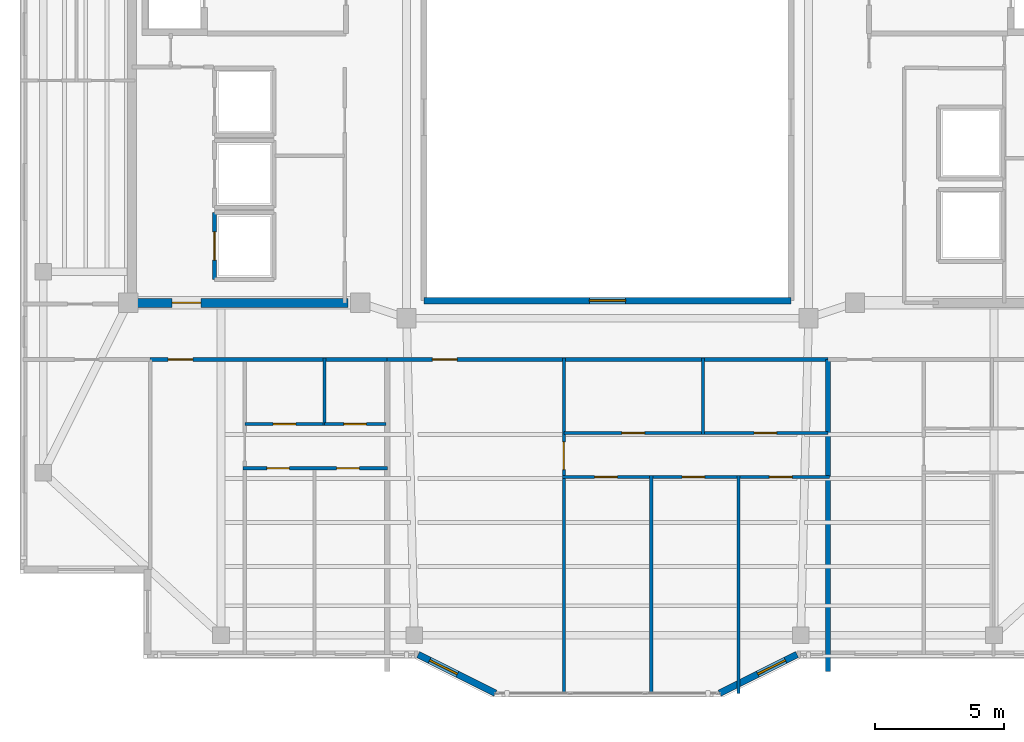
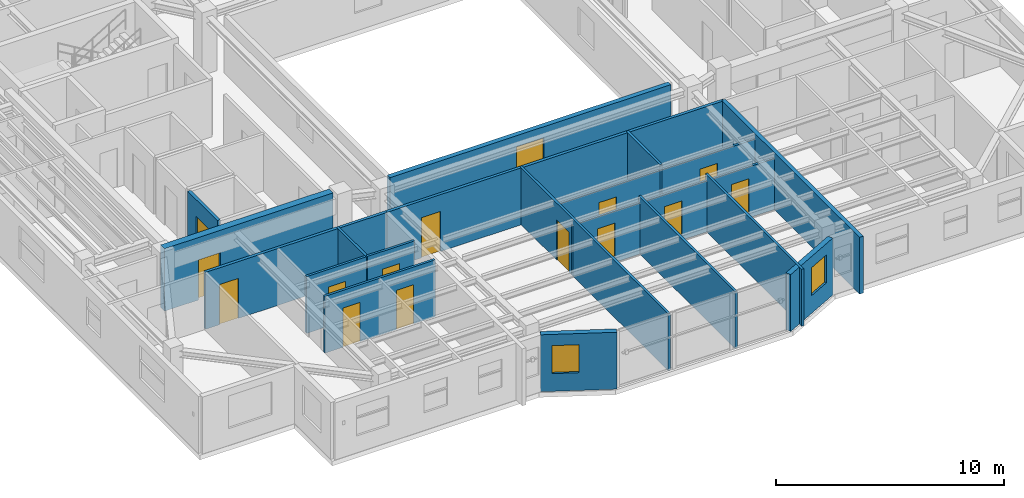
# One storey, part 6 of 15: 19 walls, 14 doors, 3 windows, 17 openings.
"""IFC4 building model written with IfcOpenShell, lengths in metres."""

from ifc_helpers import new_model, si_unit, direction, frame, frame_2d, origin, place, context, subcontext, project, spatial, rectangle, extrude, material, layer, layer_set, type_object, element, fill, save


model = new_model("IFC4")

# Units and contexts
model_context = context("Model", 3, precision=1e-05, world=origin(), true_north=direction((0.0, 1.0)))
body_context = subcontext(model_context, "Body", "Model", "MODEL_VIEW")
ifc_project = project(units=[si_unit("LENGTHUNIT", "METRE"), si_unit("AREAUNIT", "SQUARE_METRE"), si_unit("VOLUMEUNIT", "CUBIC_METRE"), si_unit("PLANEANGLEUNIT", "RADIAN"), si_unit("MASSUNIT", "GRAM", prefix="KILO")], contexts=[model_context])

# Site, building, storey
site_placement = place(None, origin())
site = spatial("IfcSite", under=ifc_project, at=site_placement, CompositionType="ELEMENT")
building_placement = place(site_placement, origin())
building = spatial("IfcBuilding", under=site, at=building_placement, Name="Tarnavaz Court Tower", CompositionType="ELEMENT")
storey_placement = place(building_placement, frame((0.0, 0.0, 268.300048828125)))
storey = spatial("IfcBuildingStorey", under=building, at=storey_placement, Name="L73", CompositionType="ELEMENT", Elevation=268.300048828125)

# Wall, opening, door
ifc_material_1 = material(Name="Concrete C50/60", Category="concrete")
ifc_layer_1 = layer(ifc_material_1, 0.35009765625)
ifc_layer_set_1 = layer_set([ifc_layer_1], Name="Concrete C50/60")
wall_type_1 = type_object("IfcWallType", Name="WL-CORE-350-C50", PredefinedType="SHEAR", material=ifc_layer_set_1)
wall_1_placement = place(storey_placement, frame((-18.625, -7.199951171875, 0.0), z_axis=(0.0, 0.0, 1.0), x_axis=(1.0, 0.0, 0.0)))
wall_1 = element("IfcWall", 1, at=wall_1_placement, inside=storey, type_object=wall_type_1, Name="L73 West Core South Shear Wall 046", PredefinedType="SHEAR", context=body_context, shape_type="SweptSolid", body=[
    extrude(rectangle(XDim=8.550048828125, YDim=0.35009765625, at=frame_2d((4.27490234375, 0.0))), origin(), (0.0, 0.0, 1.0), 3.349853515625),
])
opening_1_placement = place(wall_1_placement, frame((1.72509765625, 0.0, 0.0)))
opening_1 = element("IfcOpeningElement", 2, at=opening_1_placement, cuts=wall_1, Name="Opening D04", PredefinedType="OPENING", context=body_context, shape_type="SweptSolid", body=[
    extrude(rectangle(XDim=1.1201171875, YDim=2.14990234375, at=frame_2d((0.56005859375, 1.074951171875))), frame((0.0, 0.18505859375, 0.0), z_axis=(0.0, -1.0, 0.0), x_axis=(1.0, 0.0, 0.0)), (0.0, 0.0, 1.0), 0.3701171875),
])
ifc_material_2 = material(Name="Fire-Rated Hardwood Timber Core", Category="wood")
door_type_1 = type_object("IfcDoorType", Name="DR-FD60-1100", OperationType="NOTDEFINED", PredefinedType="DOOR", material=ifc_material_2)
door_1_placement = place(opening_1_placement, origin())
door_1 = element("IfcDoor", 3, at=door_1_placement, inside=storey, type_object=door_type_1, Name="L73 West High-Rise Lift Lobby Door", OperationType="SINGLE_SWING_LEFT", OverallHeight=2.14990234375, OverallWidth=1.1201171875, PredefinedType="DOOR", context=body_context, shape_type="SweptSolid", body=[
    extrude(rectangle(XDim=1.1201171875, YDim=2.14990234375, at=frame_2d((0.56005859375, 1.074951171875))), frame((0.0, 0.02490234375, 0.0), z_axis=(0.0, -1.0, 0.0), x_axis=(1.0, 0.0, 0.0)), (0.0, 0.0, 1.0), 0.050048828125),
])
fill(opening_1, door_1)

# Wall, opening, window
ifc_material_3 = material(Name="Precast Concrete C40/50", Category="concrete")
ifc_layer_2 = layer(ifc_material_3, 0.260009765625)
ifc_layer_set_2 = layer_set([ifc_layer_2], Name="Precast Concrete C40/50")
wall_type_2 = type_object("IfcWallType", Name="WL-EXT-260", PredefinedType="SOLIDWALL", material=ifc_layer_set_2)
wall_2_placement = place(storey_placement, frame((7.35009765625, -20.85009765625, 0.0), z_axis=(0.0, 0.0, 1.0), x_axis=(-0.894427191, -0.4472135955, 0.0)))
wall_2 = element("IfcWall", 4, at=wall_2_placement, inside=storey, type_object=wall_type_2, Name="L73 Exterior Terracotta Facade Wall 16", PredefinedType="SOLIDWALL", context=body_context, shape_type="SweptSolid", body=[
    extrude(rectangle(XDim=3.35400390625, YDim=0.260009765625, at=frame_2d((1.677001953125, 0.0))), origin(), (0.0, 0.0, 1.0), 3.050048828125),
])
opening_2_placement = place(wall_2_placement, frame((0.501220703125, 0.0, 0.949951171875)))
opening_2 = element("IfcOpeningElement", 5, at=opening_2_placement, cuts=wall_2, Name="Opening W05", PredefinedType="OPENING", context=body_context, shape_type="SweptSolid", body=[
    extrude(rectangle(XDim=1.199951171875, YDim=1.5, at=frame_2d((0.60009765625, 0.75))), frame((0.0, 0.139892578125, 0.0), z_axis=(0.0, -1.0, 0.0), x_axis=(1.0, 0.0, 0.0)), (0.0, 0.0, 1.0), 0.280029296875),
])
ifc_material_4 = material(Name="Double-Glazed Solar Low-E Glass", Category="glass")
window_type_1 = type_object("IfcWindowType", Name="WN-APT-1200", PartitioningType="SINGLE_PANEL", PredefinedType="WINDOW", material=ifc_material_4)
window_1_placement = place(opening_2_placement, origin())
window_1 = element("IfcWindow", 6, at=window_1_placement, inside=storey, type_object=window_type_1, Name="L73 Flat 07 Bedroom 3 Window", OverallHeight=1.5, OverallWidth=1.199951171875, PartitioningType="SINGLE_PANEL", PredefinedType="WINDOW", context=body_context, shape_type="SweptSolid", body=[
    extrude(rectangle(XDim=1.199951171875, YDim=1.5, at=frame_2d((0.60009765625, 0.75))), frame((0.0, 0.030029296875, 0.0), z_axis=(0.0, -1.0, 0.0), x_axis=(1.0, 0.0, 0.0)), (0.0, 0.0, 1.0), 0.06005859375),
])
fill(opening_2, window_1)

wall_3_placement = place(storey_placement, frame((-4.35009765625, -22.35009765625, 0.0), z_axis=(0.0, 0.0, 1.0), x_axis=(-0.894427191, 0.4472135955, 0.0)))
wall_3 = element("IfcWall", 7, at=wall_3_placement, inside=storey, type_object=wall_type_2, Name="L73 Exterior Terracotta Facade Wall 18", PredefinedType="SOLIDWALL", context=body_context, shape_type="SweptSolid", body=[
    extrude(rectangle(XDim=3.35400390625, YDim=0.260009765625, at=frame_2d((1.677001953125, 0.0))), origin(), (0.0, 0.0, 1.0), 3.050048828125),
])
opening_3_placement = place(wall_3_placement, frame((1.65283203125, 0.0, 0.949951171875)))
opening_3 = element("IfcOpeningElement", 8, at=opening_3_placement, cuts=wall_3, Name="Opening W05", PredefinedType="OPENING", context=body_context, shape_type="SweptSolid", body=[
    extrude(rectangle(XDim=1.199951171875, YDim=1.5, at=frame_2d((0.60009765625, 0.75))), frame((0.0, 0.139892578125, 0.0), z_axis=(0.0, -1.0, 0.0), x_axis=(1.0, 0.0, 0.0)), (0.0, 0.0, 1.0), 0.280029296875),
])
window_2_placement = place(opening_3_placement, origin())
window_2 = element("IfcWindow", 9, at=window_2_placement, inside=storey, type_object=window_type_1, Name="L73 Flat 07 Living and Dining Room Window", OverallHeight=1.5, OverallWidth=1.199951171875, PartitioningType="SINGLE_PANEL", PredefinedType="WINDOW", context=body_context, shape_type="SweptSolid", body=[
    extrude(rectangle(XDim=1.199951171875, YDim=1.5, at=frame_2d((0.60009765625, 0.75))), frame((0.0, 0.030029296875, 0.0), z_axis=(0.0, -1.0, 0.0), x_axis=(1.0, 0.0, 0.0)), (0.0, 0.0, 1.0), 0.06005859375),
])
fill(opening_3, window_2)

# Wall, opening, door
ifc_material_5 = material(Name="Gypsum Fire-Board on Acoustic Metal Stud", Category="masonry")
ifc_layer_3 = layer(ifc_material_5, 0.14990234375)
ifc_layer_set_3 = layer_set([ifc_layer_3], Name="Gypsum Fire-Board on Acoustic Metal Stud")
wall_type_3 = type_object("IfcWallType", Name="WL-FIRE-150", PredefinedType="PARTITIONING", material=ifc_layer_set_3)
wall_4_placement = place(storey_placement, frame((-17.75, -9.39990234375, 0.0), z_axis=(0.0, 0.0, 1.0), x_axis=(1.0, 0.0, 0.0)))
wall_4 = element("IfcWall", 10, at=wall_4_placement, inside=storey, type_object=wall_type_3, Name="L73 SW Lobby Wall 062", PredefinedType="PARTITIONING", context=body_context, shape_type="SweptSolid", body=[
    extrude(rectangle(XDim=9.199951171875, YDim=0.14990234375, at=frame_2d((4.60009765625, 0.0))), origin(), (0.0, 0.0, 1.0), 3.050048828125),
])
opening_4_placement = place(wall_4_placement, frame((0.699951171875, 0.0, 0.0)))
opening_4 = element("IfcOpeningElement", 11, at=opening_4_placement, cuts=wall_4, Name="Opening D06", PredefinedType="OPENING", context=body_context, shape_type="SweptSolid", body=[
    extrude(rectangle(XDim=0.9599609375, YDim=2.14990234375, at=frame_2d((0.47998046875, 1.074951171875))), frame((0.0, 0.0849609375, 0.0), z_axis=(0.0, -1.0, 0.0), x_axis=(1.0, 0.0, 0.0)), (0.0, 0.0, 1.0), 0.169921875),
])
door_type_2 = type_object("IfcDoorType", Name="DR-FD60-950", OperationType="NOTDEFINED", PredefinedType="DOOR", material=ifc_material_2)
door_2_placement = place(opening_4_placement, origin())
door_2 = element("IfcDoor", 12, at=door_2_placement, inside=storey, type_object=door_type_2, Name="L73 Flat 05 Entrance Door", OperationType="SINGLE_SWING_RIGHT", OverallHeight=2.14990234375, OverallWidth=0.9599609375, PredefinedType="DOOR", context=body_context, shape_type="SweptSolid", body=[
    extrude(rectangle(XDim=0.9599609375, YDim=2.14990234375, at=frame_2d((0.47998046875, 1.074951171875))), frame((0.0, 0.02490234375, 0.0), z_axis=(0.0, -1.0, 0.0), x_axis=(1.0, 0.0, 0.0)), (0.0, 0.0, 1.0), 0.050048828125),
])
fill(opening_4, door_2)

wall_5_placement = place(storey_placement, frame((-8.550048828125, -9.39990234375, 0.0), z_axis=(0.0, 0.0, 1.0), x_axis=(1.0, 0.0, 0.0)))
wall_5 = element("IfcWall", 13, at=wall_5_placement, inside=storey, type_object=wall_type_3, Name="L73 Interior Partition 103", PredefinedType="PARTITIONING", context=body_context, shape_type="SweptSolid", body=[
    extrude(rectangle(XDim=17.10009765625, YDim=0.14990234375, at=frame_2d((8.550048828125, 0.0))), origin(), (0.0, 0.0, 1.0), 3.050048828125),
])
opening_5_placement = place(wall_5_placement, frame((1.75, 0.0, 0.0)))
opening_5 = element("IfcOpeningElement", 14, at=opening_5_placement, cuts=wall_5, Name="Opening D06", PredefinedType="OPENING", context=body_context, shape_type="SweptSolid", body=[
    extrude(rectangle(XDim=0.9599609375, YDim=2.14990234375, at=frame_2d((0.47998046875, 1.074951171875))), frame((0.0, 0.0849609375, 0.0), z_axis=(0.0, -1.0, 0.0), x_axis=(1.0, 0.0, 0.0)), (0.0, 0.0, 1.0), 0.169921875),
])
door_3_placement = place(opening_5_placement, origin())
door_3 = element("IfcDoor", 15, at=door_3_placement, inside=storey, type_object=door_type_2, Name="L73 Flat 07 Entrance Door", OperationType="SINGLE_SWING_RIGHT", OverallHeight=2.14990234375, OverallWidth=0.9599609375, PredefinedType="DOOR", context=body_context, shape_type="SweptSolid", body=[
    extrude(rectangle(XDim=0.9599609375, YDim=2.14990234375, at=frame_2d((0.47998046875, 1.074951171875))), frame((0.0, 0.02490234375, 0.0), z_axis=(0.0, -1.0, 0.0), x_axis=(1.0, 0.0, 0.0)), (0.0, 0.0, 1.0), 0.050048828125),
])
fill(opening_5, door_3)

# Wall
ifc_material_6 = material(Name="Autoclaved Aerated Concrete Blockwork", Category="masonry")
ifc_layer_4 = layer(ifc_material_6, 0.199951171875)
ifc_layer_set_4 = layer_set([ifc_layer_4], Name="Autoclaved Aerated Concrete Blockwork")
wall_type_4 = type_object("IfcWallType", Name="WL-FIRE-200", PredefinedType="SOLIDWALL", material=ifc_layer_set_4)
wall_6_placement = place(storey_placement, frame((8.550048828125, -21.50390625, 0.0), z_axis=(0.0, 0.0, 1.0), x_axis=(0.0, 1.0, 0.0)))
element("IfcWall", 16, at=wall_6_placement, inside=storey, type_object=wall_type_4, Name="L73 Party Wall 102", PredefinedType="SOLIDWALL", context=body_context, shape_type="SweptSolid", body=[
    extrude(rectangle(XDim=12.10400390625, YDim=0.199951171875, at=frame_2d((6.052001953125, 0.0))), origin(), (0.0, 0.0, 1.0), 3.050048828125),
])

# Wall, opening, door
ifc_material_7 = material(Name="Moisture-Resistant Gypsum Board Partition", Category="masonry")
ifc_layer_5 = layer(ifc_material_7, 0.1201171875)
ifc_layer_set_5 = layer_set([ifc_layer_5], Name="Moisture-Resistant Gypsum Board Partition")
wall_type_5 = type_object("IfcWallType", Name="WL-PART-120", PredefinedType="PARTITIONING", material=ifc_layer_set_5)
wall_7_placement = place(storey_placement, frame((-14.077880859375, -11.909912109375, 0.0), z_axis=(0.0, 0.0, 1.0), x_axis=(1.0, 0.0, 0.0)))
wall_7 = element("IfcWall", 17, at=wall_7_placement, inside=storey, type_object=wall_type_5, Name="L73 Interior Partition 090", PredefinedType="PARTITIONING", context=body_context, shape_type="SweptSolid", body=[
    extrude(rectangle(XDim=3.087890625, YDim=0.1201171875, at=frame_2d((1.5439453125, 0.0))), origin(), (0.0, 0.0, 1.0), 3.050048828125),
])
opening_6_placement = place(wall_7_placement, frame((1.10400390625, 0.0, 0.0)))
opening_6 = element("IfcOpeningElement", 18, at=opening_6_placement, cuts=wall_7, Name="Opening D14", PredefinedType="OPENING", context=body_context, shape_type="SweptSolid", body=[
    extrude(rectangle(XDim=0.8798828125, YDim=2.10009765625, at=frame_2d((0.43994140625, 1.050048828125))), frame((0.0, 0.070068359375, 0.0), z_axis=(0.0, -1.0, 0.0), x_axis=(1.0, 0.0, 0.0)), (0.0, 0.0, 1.0), 0.14013671875),
])
ifc_material_8 = material(Name="Engineered Oak Timber", Category="wood")
door_type_3 = type_object("IfcDoorType", Name="DR-INT-900", OperationType="NOTDEFINED", PredefinedType="DOOR", material=ifc_material_8)
door_4_placement = place(opening_6_placement, origin())
door_4 = element("IfcDoor", 19, at=door_4_placement, inside=storey, type_object=door_type_3, Name="L73 Flat 05 Kitchen Door", OperationType="SINGLE_SWING_RIGHT", OverallHeight=2.10009765625, OverallWidth=0.8798828125, PredefinedType="DOOR", context=body_context, shape_type="SweptSolid", body=[
    extrude(rectangle(XDim=0.8798828125, YDim=2.10009765625, at=frame_2d((0.43994140625, 1.050048828125))), frame((0.0, 0.02490234375, 0.0), z_axis=(0.0, -1.0, 0.0), x_axis=(1.0, 0.0, 0.0)), (0.0, 0.0, 1.0), 0.050048828125),
])
fill(opening_6, door_4)

wall_8_placement = place(storey_placement, frame((-10.989990234375, -11.909912109375, 0.0), z_axis=(0.0, 0.0, 1.0), x_axis=(1.0, 0.0, 0.0)))
wall_8 = element("IfcWall", 20, at=wall_8_placement, inside=storey, type_object=wall_type_5, Name="L73 Interior Partition 091", PredefinedType="PARTITIONING", context=body_context, shape_type="SweptSolid", body=[
    extrude(rectangle(XDim=2.389892578125, YDim=0.1201171875, at=frame_2d((1.19482421875, 0.0))), origin(), (0.0, 0.0, 1.0), 3.050048828125),
])
opening_7_placement = place(wall_8_placement, frame((0.7548828125, 0.0, 0.0)))
opening_7 = element("IfcOpeningElement", 21, at=opening_7_placement, cuts=wall_8, Name="Opening D14", PredefinedType="OPENING", context=body_context, shape_type="SweptSolid", body=[
    extrude(rectangle(XDim=0.8798828125, YDim=2.10009765625, at=frame_2d((0.43994140625, 1.050048828125))), frame((0.0, 0.070068359375, 0.0), z_axis=(0.0, -1.0, 0.0), x_axis=(1.0, 0.0, 0.0)), (0.0, 0.0, 1.0), 0.14013671875),
])
door_5_placement = place(opening_7_placement, origin())
door_5 = element("IfcDoor", 22, at=door_5_placement, inside=storey, type_object=door_type_3, Name="L73 Flat 05 Bathroom Door", OperationType="SINGLE_SWING_LEFT", OverallHeight=2.10009765625, OverallWidth=0.8798828125, PredefinedType="DOOR", context=body_context, shape_type="SweptSolid", body=[
    extrude(rectangle(XDim=0.8798828125, YDim=2.10009765625, at=frame_2d((0.43994140625, 1.050048828125))), frame((0.0, 0.02490234375, 0.0), z_axis=(0.0, -1.0, 0.0), x_axis=(1.0, 0.0, 0.0)), (0.0, 0.0, 1.0), 0.050048828125),
])
fill(opening_7, door_5)

# Wall, openings, doors
wall_9_placement = place(storey_placement, frame((-14.137939453125, -13.6201171875, 0.0), z_axis=(0.0, 0.0, 1.0), x_axis=(1.0, 0.0, 0.0)))
wall_9 = element("IfcWall", 23, at=wall_9_placement, inside=storey, type_object=wall_type_5, Name="L73 Interior Partition 092", PredefinedType="PARTITIONING", context=body_context, shape_type="SweptSolid", body=[
    extrude(rectangle(XDim=5.597900390625, YDim=0.1201171875, at=frame_2d((2.798828125, 0.0))), origin(), (0.0, 0.0, 1.0), 3.050048828125),
])
opening_8_placement = place(wall_9_placement, frame((0.9140625, 0.0, 0.0)))
opening_8 = element("IfcOpeningElement", 24, at=opening_8_placement, cuts=wall_9, Name="Opening D14", PredefinedType="OPENING", context=body_context, shape_type="SweptSolid", body=[
    extrude(rectangle(XDim=0.8798828125, YDim=2.10009765625, at=frame_2d((0.43994140625, 1.050048828125))), frame((0.0, 0.070068359375, 0.0), z_axis=(0.0, -1.0, 0.0), x_axis=(1.0, 0.0, 0.0)), (0.0, 0.0, 1.0), 0.14013671875),
])
opening_9_placement = place(wall_9_placement, frame((3.623046875, 0.0, 0.0)))
opening_9 = element("IfcOpeningElement", 25, at=opening_9_placement, cuts=wall_9, Name="Opening D14", PredefinedType="OPENING", context=body_context, shape_type="SweptSolid", body=[
    extrude(rectangle(XDim=0.8798828125, YDim=2.10009765625, at=frame_2d((0.43994140625, 1.050048828125))), frame((0.0, 0.070068359375, 0.0), z_axis=(0.0, -1.0, 0.0), x_axis=(1.0, 0.0, 0.0)), (0.0, 0.0, 1.0), 0.14013671875),
])
door_6_placement = place(opening_8_placement, origin())
door_6 = element("IfcDoor", 26, at=door_6_placement, inside=storey, type_object=door_type_3, Name="L73 Flat 05 Bedroom 1 Door", OperationType="SINGLE_SWING_RIGHT", OverallHeight=2.10009765625, OverallWidth=0.8798828125, PredefinedType="DOOR", context=body_context, shape_type="SweptSolid", body=[
    extrude(rectangle(XDim=0.8798828125, YDim=2.10009765625, at=frame_2d((0.43994140625, 1.050048828125))), frame((0.0, 0.02490234375, 0.0), z_axis=(0.0, -1.0, 0.0), x_axis=(1.0, 0.0, 0.0)), (0.0, 0.0, 1.0), 0.050048828125),
])
fill(opening_8, door_6)
door_7_placement = place(opening_9_placement, origin())
door_7 = element("IfcDoor", 27, at=door_7_placement, inside=storey, type_object=door_type_3, Name="L73 Flat 05 Bedroom 2 Door", OperationType="SINGLE_SWING_LEFT", OverallHeight=2.10009765625, OverallWidth=0.8798828125, PredefinedType="DOOR", context=body_context, shape_type="SweptSolid", body=[
    extrude(rectangle(XDim=0.8798828125, YDim=2.10009765625, at=frame_2d((0.43994140625, 1.050048828125))), frame((0.0, 0.02490234375, 0.0), z_axis=(0.0, -1.0, 0.0), x_axis=(1.0, 0.0, 0.0)), (0.0, 0.0, 1.0), 0.050048828125),
])
fill(opening_9, door_7)

# Wall
wall_10_placement = place(storey_placement, frame((-10.989990234375, -11.969970703125, 0.0), z_axis=(0.0, 0.0, 1.0), x_axis=(0.0, 1.0, 0.0)))
element("IfcWall", 28, at=wall_10_placement, inside=storey, type_object=wall_type_5, Name="L73 Interior Partition 093", PredefinedType="PARTITIONING", context=body_context, shape_type="SweptSolid", body=[
    extrude(rectangle(XDim=2.6298828125, YDim=0.1201171875, at=frame_2d((1.31494140625, 0.0))), origin(), (0.0, 0.0, 1.0), 3.050048828125),
])

# Wall, opening, door
wall_11_placement = place(storey_placement, frame((-1.696044921875, -22.3798828125, 0.0), z_axis=(0.0, 0.0, 1.0), x_axis=(0.0, 1.0, 0.0)))
wall_11 = element("IfcWall", 29, at=wall_11_placement, inside=storey, type_object=wall_type_5, Name="L73 Interior Partition 104", PredefinedType="PARTITIONING", context=body_context, shape_type="SweptSolid", body=[
    extrude(rectangle(XDim=13.039794921875, YDim=0.1201171875, at=frame_2d((6.52001953125, 0.0))), origin(), (0.0, 0.0, 1.0), 3.050048828125),
])
opening_10_placement = place(wall_11_placement, frame((8.705078125, 0.0, 0.0)))
opening_10 = element("IfcOpeningElement", 30, at=opening_10_placement, cuts=wall_11, Name="Opening D12", PredefinedType="OPENING", context=body_context, shape_type="SweptSolid", body=[
    extrude(rectangle(XDim=1.080078125, YDim=2.14990234375, at=frame_2d((0.5400390625, 1.074951171875))), frame((0.0, 0.070068359375, 0.0), z_axis=(0.0, -1.0, 0.0), x_axis=(1.0, 0.0, 0.0)), (0.0, 0.0, 1.0), 0.14013671875),
])
door_type_4 = type_object("IfcDoorType", Name="DR-INT-1100", OperationType="NOTDEFINED", PredefinedType="DOOR", material=ifc_material_8)
door_8_placement = place(opening_10_placement, origin())
door_8 = element("IfcDoor", 31, at=door_8_placement, inside=storey, type_object=door_type_4, Name="L73 Flat 07 Foyer Door", OperationType="SINGLE_SWING_LEFT", OverallHeight=2.14990234375, OverallWidth=1.080078125, PredefinedType="DOOR", context=body_context, shape_type="SweptSolid", body=[
    extrude(rectangle(XDim=1.080078125, YDim=2.14990234375, at=frame_2d((0.5400390625, 1.074951171875))), frame((0.0, 0.02490234375, 0.0), z_axis=(0.0, -1.0, 0.0), x_axis=(1.0, 0.0, 0.0)), (0.0, 0.0, 1.0), 0.050048828125),
])
fill(opening_10, door_8)

wall_12_placement = place(storey_placement, frame((-1.696044921875, -12.25, 0.0), z_axis=(0.0, 0.0, 1.0), x_axis=(1.0, 0.0, 0.0)))
wall_12 = element("IfcWall", 32, at=wall_12_placement, inside=storey, type_object=wall_type_5, Name="L73 Interior Partition 105", PredefinedType="PARTITIONING", context=body_context, shape_type="SweptSolid", body=[
    extrude(rectangle(XDim=5.39306640625, YDim=0.1201171875, at=frame_2d((2.696533203125, 0.0))), origin(), (0.0, 0.0, 1.0), 2.73486328125),
])
opening_11_placement = place(wall_12_placement, frame((2.256103515625, 0.0, 0.0)))
opening_11 = element("IfcOpeningElement", 33, at=opening_11_placement, cuts=wall_12, Name="Opening D14", PredefinedType="OPENING", context=body_context, shape_type="SweptSolid", body=[
    extrude(rectangle(XDim=0.8798828125, YDim=2.10009765625, at=frame_2d((0.43994140625, 1.050048828125))), frame((0.0, 0.070068359375, 0.0), z_axis=(0.0, -1.0, 0.0), x_axis=(1.0, 0.0, 0.0)), (0.0, 0.0, 1.0), 0.14013671875),
])
door_9_placement = place(opening_11_placement, origin())
door_9 = element("IfcDoor", 34, at=door_9_placement, inside=storey, type_object=door_type_3, Name="L73 Flat 07 Kitchen Door", OperationType="SINGLE_SWING_RIGHT", OverallHeight=2.10009765625, OverallWidth=0.8798828125, PredefinedType="DOOR", context=body_context, shape_type="SweptSolid", body=[
    extrude(rectangle(XDim=0.8798828125, YDim=2.10009765625, at=frame_2d((0.43994140625, 1.050048828125))), frame((0.0, 0.02490234375, 0.0), z_axis=(0.0, -1.0, 0.0), x_axis=(1.0, 0.0, 0.0)), (0.0, 0.0, 1.0), 0.050048828125),
])
fill(opening_11, door_9)

wall_13_placement = place(storey_placement, frame((3.697021484375, -12.25, 0.0), z_axis=(0.0, 0.0, 1.0), x_axis=(1.0, 0.0, 0.0)))
wall_13 = element("IfcWall", 35, at=wall_13_placement, inside=storey, type_object=wall_type_5, Name="L73 Interior Partition 106", PredefinedType="PARTITIONING", context=body_context, shape_type="SweptSolid", body=[
    extrude(rectangle(XDim=4.85302734375, YDim=0.1201171875, at=frame_2d((2.426513671875, 0.0))), origin(), (0.0, 0.0, 1.0), 2.73486328125),
])
opening_12_placement = place(wall_13_placement, frame((1.987060546875, 0.0, 0.0)))
opening_12 = element("IfcOpeningElement", 36, at=opening_12_placement, cuts=wall_13, Name="Opening D14", PredefinedType="OPENING", context=body_context, shape_type="SweptSolid", body=[
    extrude(rectangle(XDim=0.8798828125, YDim=2.10009765625, at=frame_2d((0.43994140625, 1.050048828125))), frame((0.0, 0.070068359375, 0.0), z_axis=(0.0, -1.0, 0.0), x_axis=(1.0, 0.0, 0.0)), (0.0, 0.0, 1.0), 0.14013671875),
])
door_10_placement = place(opening_12_placement, origin())
door_10 = element("IfcDoor", 37, at=door_10_placement, inside=storey, type_object=door_type_3, Name="L73 Flat 07 Bathroom Door", OperationType="SINGLE_SWING_LEFT", OverallHeight=2.10009765625, OverallWidth=0.8798828125, PredefinedType="DOOR", context=body_context, shape_type="SweptSolid", body=[
    extrude(rectangle(XDim=0.8798828125, YDim=2.10009765625, at=frame_2d((0.43994140625, 1.050048828125))), frame((0.0, 0.02490234375, 0.0), z_axis=(0.0, -1.0, 0.0), x_axis=(1.0, 0.0, 0.0)), (0.0, 0.0, 1.0), 0.050048828125),
])
fill(opening_12, door_10)

# Wall, openings, doors
wall_14_placement = place(storey_placement, frame((-1.756103515625, -13.9599609375, 0.0), z_axis=(0.0, 0.0, 1.0), x_axis=(1.0, 0.0, 0.0)))
wall_14 = element("IfcWall", 38, at=wall_14_placement, inside=storey, type_object=wall_type_5, Name="L73 Interior Partition 107", PredefinedType="PARTITIONING", context=body_context, shape_type="SweptSolid", body=[
    extrude(rectangle(XDim=10.3662109375, YDim=0.1201171875, at=frame_2d((5.18310546875, 0.0))), origin(), (0.0, 0.0, 1.0), 2.73486328125),
])
opening_13_placement = place(wall_14_placement, frame((1.256103515625, 0.0, 0.0)))
opening_13 = element("IfcOpeningElement", 39, at=opening_13_placement, cuts=wall_14, Name="Opening D14", PredefinedType="OPENING", context=body_context, shape_type="SweptSolid", body=[
    extrude(rectangle(XDim=0.8798828125, YDim=2.10009765625, at=frame_2d((0.43994140625, 1.050048828125))), frame((0.0, 0.070068359375, 0.0), z_axis=(0.0, -1.0, 0.0), x_axis=(1.0, 0.0, 0.0)), (0.0, 0.0, 1.0), 0.14013671875),
])
opening_14_placement = place(wall_14_placement, frame((4.64794921875, 0.0, 0.0)))
opening_14 = element("IfcOpeningElement", 40, at=opening_14_placement, cuts=wall_14, Name="Opening D14", PredefinedType="OPENING", context=body_context, shape_type="SweptSolid", body=[
    extrude(rectangle(XDim=0.8798828125, YDim=2.10009765625, at=frame_2d((0.43994140625, 1.050048828125))), frame((0.0, 0.070068359375, 0.0), z_axis=(0.0, -1.0, 0.0), x_axis=(1.0, 0.0, 0.0)), (0.0, 0.0, 1.0), 0.14013671875),
])
opening_15_placement = place(wall_14_placement, frame((8.0400390625, 0.0, 0.0)))
opening_15 = element("IfcOpeningElement", 41, at=opening_15_placement, cuts=wall_14, Name="Opening D14", PredefinedType="OPENING", context=body_context, shape_type="SweptSolid", body=[
    extrude(rectangle(XDim=0.8798828125, YDim=2.10009765625, at=frame_2d((0.43994140625, 1.050048828125))), frame((0.0, 0.070068359375, 0.0), z_axis=(0.0, -1.0, 0.0), x_axis=(1.0, 0.0, 0.0)), (0.0, 0.0, 1.0), 0.14013671875),
])
door_11_placement = place(opening_13_placement, origin())
door_11 = element("IfcDoor", 42, at=door_11_placement, inside=storey, type_object=door_type_3, Name="L73 Flat 07 Bedroom 1 Door", OperationType="SINGLE_SWING_RIGHT", OverallHeight=2.10009765625, OverallWidth=0.8798828125, PredefinedType="DOOR", context=body_context, shape_type="SweptSolid", body=[
    extrude(rectangle(XDim=0.8798828125, YDim=2.10009765625, at=frame_2d((0.43994140625, 1.050048828125))), frame((0.0, 0.02490234375, 0.0), z_axis=(0.0, -1.0, 0.0), x_axis=(1.0, 0.0, 0.0)), (0.0, 0.0, 1.0), 0.050048828125),
])
fill(opening_13, door_11)
door_12_placement = place(opening_14_placement, origin())
door_12 = element("IfcDoor", 43, at=door_12_placement, inside=storey, type_object=door_type_3, Name="L73 Flat 07 Bedroom 2 Door", OperationType="SINGLE_SWING_LEFT", OverallHeight=2.10009765625, OverallWidth=0.8798828125, PredefinedType="DOOR", context=body_context, shape_type="SweptSolid", body=[
    extrude(rectangle(XDim=0.8798828125, YDim=2.10009765625, at=frame_2d((0.43994140625, 1.050048828125))), frame((0.0, 0.02490234375, 0.0), z_axis=(0.0, -1.0, 0.0), x_axis=(1.0, 0.0, 0.0)), (0.0, 0.0, 1.0), 0.050048828125),
])
fill(opening_14, door_12)
door_13_placement = place(opening_15_placement, origin())
door_13 = element("IfcDoor", 44, at=door_13_placement, inside=storey, type_object=door_type_3, Name="L73 Flat 07 Bedroom 3 Door", OperationType="SINGLE_SWING_RIGHT", OverallHeight=2.10009765625, OverallWidth=0.8798828125, PredefinedType="DOOR", context=body_context, shape_type="SweptSolid", body=[
    extrude(rectangle(XDim=0.8798828125, YDim=2.10009765625, at=frame_2d((0.43994140625, 1.050048828125))), frame((0.0, 0.02490234375, 0.0), z_axis=(0.0, -1.0, 0.0), x_axis=(1.0, 0.0, 0.0)), (0.0, 0.0, 1.0), 0.050048828125),
])
fill(opening_15, door_13)

# Walls
wall_15_placement = place(storey_placement, frame((3.697021484375, -12.31005859375, 0.0), z_axis=(0.0, 0.0, 1.0), x_axis=(0.0, 1.0, 0.0)))
element("IfcWall", 45, at=wall_15_placement, inside=storey, type_object=wall_type_5, Name="L73 Interior Partition 108", PredefinedType="PARTITIONING", context=body_context, shape_type="SweptSolid", body=[
    extrude(rectangle(XDim=2.969970703125, YDim=0.1201171875, at=frame_2d((1.48486328125, 0.0))), origin(), (0.0, 0.0, 1.0), 3.050048828125),
])
wall_16_placement = place(storey_placement, frame((1.696044921875, -22.3798828125, 0.0), z_axis=(0.0, 0.0, 1.0), x_axis=(0.0, 1.0, 0.0)))
element("IfcWall", 46, at=wall_16_placement, inside=storey, type_object=wall_type_5, Name="L73 Interior Partition 109", PredefinedType="PARTITIONING", context=body_context, shape_type="SweptSolid", body=[
    extrude(rectangle(XDim=8.47998046875, YDim=0.1201171875, at=frame_2d((4.239990234375, 0.0))), origin(), (0.0, 0.0, 1.0), 3.050048828125),
])
wall_17_placement = place(storey_placement, frame((5.087890625, -22.35791015625, 0.0), z_axis=(0.0, 0.0, 1.0), x_axis=(0.0, 1.0, 0.0)))
element("IfcWall", 47, at=wall_17_placement, inside=storey, type_object=wall_type_5, Name="L73 Interior Partition 110", PredefinedType="PARTITIONING", context=body_context, shape_type="SweptSolid", body=[
    extrude(rectangle(XDim=8.4580078125, YDim=0.1201171875, at=frame_2d((4.22900390625, 0.0))), origin(), (0.0, 0.0, 1.0), 3.050048828125),
])

# Wall, opening, door
ifc_layer_6 = layer(ifc_material_6, 0.159912109375)
ifc_layer_set_6 = layer_set([ifc_layer_6], Name="Autoclaved Aerated Concrete Blockwork")
wall_type_6 = type_object("IfcWallType", Name="WL-SHAFT-150", PredefinedType="SOLIDWALL", material=ifc_layer_set_6)
wall_18_placement = place(storey_placement, frame((-15.25, -6.300048828125, 0.0), z_axis=(0.0, 0.0, 1.0), x_axis=(0.0, 1.0, 0.0)))
wall_18 = element("IfcWall", 48, at=wall_18_placement, inside=storey, type_object=wall_type_6, Name="L73 Lift PL-H1 Shaft Wall 021", PredefinedType="SOLIDWALL", context=body_context, shape_type="SweptSolid", body=[
    extrude(rectangle(XDim=2.60009765625, YDim=0.159912109375, at=frame_2d((1.300048828125, 0.0))), origin(), (0.0, 0.0, 1.0), 3.050048828125),
])
opening_16_placement = place(wall_18_placement, frame((0.75, 0.0, 0.0)))
opening_16 = element("IfcOpeningElement", 49, at=opening_16_placement, cuts=wall_18, Name="Opening LD1", PredefinedType="OPENING", context=body_context, shape_type="SweptSolid", body=[
    extrude(rectangle(XDim=1.10009765625, YDim=2.14990234375, at=frame_2d((0.550048828125, 1.074951171875))), frame((0.0, 0.08984375, 0.0), z_axis=(0.0, -1.0, 0.0), x_axis=(1.0, 0.0, 0.0)), (0.0, 0.0, 1.0), 0.179931640625),
])
ifc_material_9 = material(Name="Stainless Steel", Category="steel")
door_type_5 = type_object("IfcDoorType", Name="DR-LD-1100", OperationType="NOTDEFINED", PredefinedType="DOOR", material=ifc_material_9)
door_14_placement = place(opening_16_placement, origin())
door_14 = element("IfcDoor", 50, at=door_14_placement, inside=storey, type_object=door_type_5, Name="L73 Lift Landing Door LD-PL-H1", OperationType="SLIDING_TO_LEFT", OverallHeight=2.14990234375, OverallWidth=1.10009765625, PredefinedType="DOOR", context=body_context, shape_type="SweptSolid", body=[
    extrude(rectangle(XDim=1.10009765625, YDim=2.14990234375, at=frame_2d((0.550048828125, 1.074951171875))), frame((0.0, 0.02490234375, 0.0), z_axis=(0.0, -1.0, 0.0), x_axis=(1.0, 0.0, 0.0)), (0.0, 0.0, 1.0), 0.050048828125),
])
fill(opening_16, door_14)

# Wall, opening, window
ifc_layer_7 = layer(ifc_material_3, 0.239990234375)
ifc_layer_set_7 = layer_set([ifc_layer_7], Name="Precast Concrete C40/50")
wall_type_7 = type_object("IfcWallType", Name="WL-WELL-240", PredefinedType="SOLIDWALL", material=ifc_layer_set_7)
wall_19_placement = place(storey_placement, frame((-7.1201171875, -7.1201171875, 0.0), z_axis=(0.0, 0.0, 1.0), x_axis=(1.0, 0.0, 0.0)))
wall_19 = element("IfcWall", 51, at=wall_19_placement, inside=storey, type_object=wall_type_7, Name="L73 Badgir Light-Well Exterior Wall S", PredefinedType="SOLIDWALL", context=body_context, shape_type="SweptSolid", body=[
    extrude(rectangle(XDim=14.240234375, YDim=0.239990234375, at=frame_2d((7.1201171875, 0.0))), origin(), (0.0, 0.0, 1.0), 3.050048828125),
])
opening_17_placement = place(wall_19_placement, frame((6.419921875, 0.0, 0.949951171875)))
opening_17 = element("IfcOpeningElement", 52, at=opening_17_placement, cuts=wall_19, Name="Opening W13", PredefinedType="OPENING", context=body_context, shape_type="SweptSolid", body=[
    extrude(rectangle(XDim=1.39990234375, YDim=1.5, at=frame_2d((0.699951171875, 0.75))), frame((0.0, 0.1298828125, 0.0), z_axis=(0.0, -1.0, 0.0), x_axis=(1.0, 0.0, 0.0)), (0.0, 0.0, 1.0), 0.260009765625),
])
window_type_2 = type_object("IfcWindowType", Name="WN-WEL-1400", PartitioningType="SINGLE_PANEL", PredefinedType="WINDOW", material=ifc_material_4)
window_3_placement = place(opening_17_placement, origin())
window_3 = element("IfcWindow", 53, at=window_3_placement, inside=storey, type_object=window_type_2, Name="L73 Courtyard Gallery Window S", OverallHeight=1.5, OverallWidth=1.39990234375, PartitioningType="SINGLE_PANEL", PredefinedType="WINDOW", context=body_context, shape_type="SweptSolid", body=[
    extrude(rectangle(XDim=1.39990234375, YDim=1.5, at=frame_2d((0.699951171875, 0.75))), frame((0.0, 0.030029296875, 0.0), z_axis=(0.0, -1.0, 0.0), x_axis=(1.0, 0.0, 0.0)), (0.0, 0.0, 1.0), 0.06005859375),
])
fill(opening_17, window_3)

save(model, "model.ifc")
